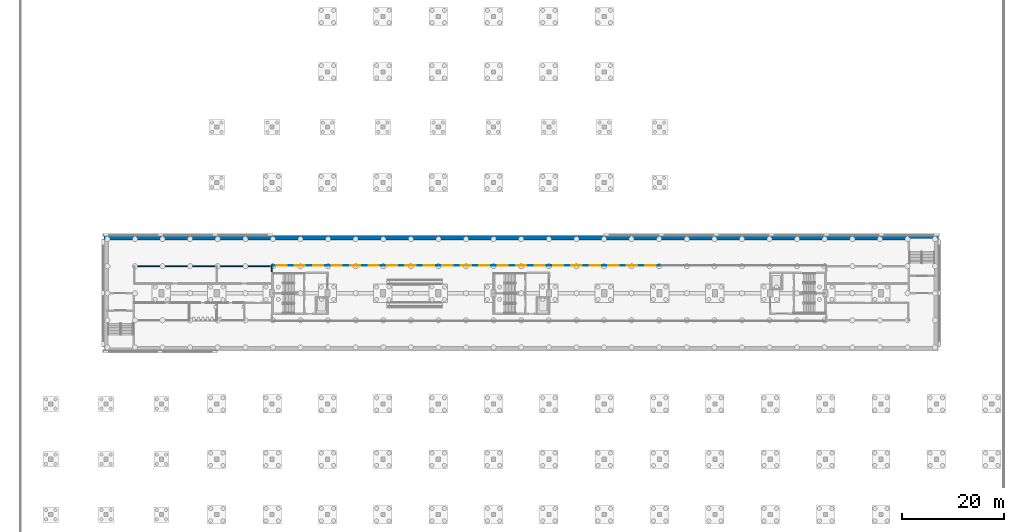
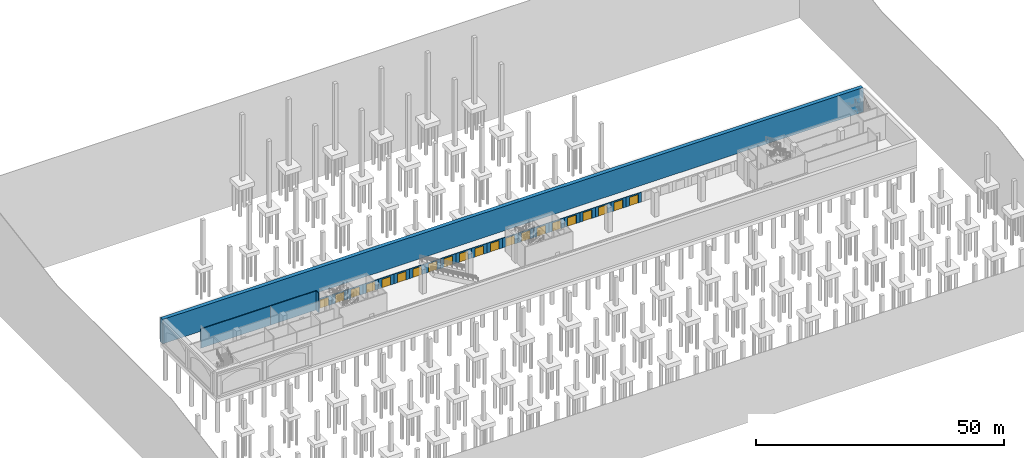
# One storey, part 10 of 39: 25 walls, 21 doors, 21 openings.
"""IFC4 building model written with IfcOpenShell, lengths in metres."""

from ifc_helpers import new_model, si_unit, direction, frame, frame_2d, origin, place, context, subcontext, project, spatial, rectangle, extrude, material, layer, layer_set, type_object, element, fill, save


model = new_model("IFC4")

# Units and contexts
model_context = context("Model", 3, precision=1e-05, world=origin(), true_north=direction((0.0, 1.0)))
body_context = subcontext(model_context, "Body", "Model", "MODEL_VIEW")
ifc_project = project(units=[si_unit("LENGTHUNIT", "METRE"), si_unit("AREAUNIT", "SQUARE_METRE"), si_unit("VOLUMEUNIT", "CUBIC_METRE"), si_unit("PLANEANGLEUNIT", "RADIAN"), si_unit("MASSUNIT", "GRAM", prefix="KILO")], contexts=[model_context])

# Site, building, storey
site_placement = place(None, origin())
site = spatial("IfcSite", under=ifc_project, at=site_placement, CompositionType="ELEMENT")
building_placement = place(site_placement, origin())
building = spatial("IfcBuilding", under=site, at=building_placement, Name="Magnolia Steps Interchange", CompositionType="ELEMENT")
storey_placement = place(building_placement, frame((0.0, 0.0, -11.39990234375)))
storey = spatial("IfcBuildingStorey", under=building, at=storey_placement, Name="B2", CompositionType="ELEMENT", Elevation=-11.39990234375)

# Walls
ifc_material_1 = material(Name="Concrete C40", Category="concrete")
ifc_layer_1 = layer(ifc_material_1, 0.89990234375)
ifc_layer_set_1 = layer_set([ifc_layer_1], Name="Diaphragm wall 900")
wall_type_1 = type_object("IfcWallType", Name="Diaphragm wall 900", PredefinedType="SOLIDWALL", material=ifc_layer_set_1)
wall_1_placement = place(storey_placement, frame((183.25, 74.800048828125, 0.0), z_axis=(0.0, 0.0, 1.0), x_axis=(-1.0, 0.0, 0.0)))
element("IfcWall", 1, at=wall_1_placement, inside=storey, type_object=wall_type_1, Name="Metro box wall N", PredefinedType="SOLIDWALL", context=body_context, shape_type="SweptSolid", body=[
    extrude(rectangle(XDim=162.89990234375, YDim=0.89990234375, at=frame_2d((81.449951171875, 0.0))), origin(), (0.0, 0.0, 1.0), 6.0),
])
ifc_material_2 = material(Name="Fair-faced blockwork", Category="masonry")
ifc_layer_2 = layer(ifc_material_2, 0.199951171875)
ifc_layer_set_2 = layer_set([ifc_layer_2], Name="Fire partition wall 200")
wall_type_2 = type_object("IfcWallType", Name="Fire partition wall 200", PredefinedType="PARTITIONING", material=ifc_layer_set_2)
wall_2_placement = place(storey_placement, frame((26.199951171875, 69.300048828125, 0.0), z_axis=(0.0, 0.0, 1.0), x_axis=(1.0, 0.0, 0.0)))
element("IfcWall", 2, at=wall_2_placement, inside=storey, type_object=wall_type_2, Name="B2 partition 17", PredefinedType="PARTITIONING", context=body_context, shape_type="SweptSolid", body=[
    extrude(rectangle(XDim=16.199951171875, YDim=0.199951171875, at=frame_2d((8.10009765625, 0.0))), origin(), (0.0, 0.0, 1.0), 4.699951171875),
])
wall_3_placement = place(storey_placement, frame((53.10009765625, 68.155029296875, 0.0), z_axis=(0.0, 0.0, 1.0), x_axis=(0.0, 1.0, 0.0)))
element("IfcWall", 3, at=wall_3_placement, inside=storey, type_object=wall_type_2, Name="B2 partition 18", PredefinedType="PARTITIONING", context=body_context, shape_type="SweptSolid", body=[
    extrude(rectangle(XDim=1.244873046875, YDim=0.199951171875, at=frame_2d((0.62255859375, 0.0))), origin(), (0.0, 0.0, 1.0), 4.699951171875),
])
wall_4_placement = place(storey_placement, frame((42.39990234375, 69.300048828125, 0.0), z_axis=(0.0, 0.0, 1.0), x_axis=(1.0, 0.0, 0.0)))
element("IfcWall", 4, at=wall_4_placement, inside=storey, type_object=wall_type_2, Name="B2 partition 19", PredefinedType="PARTITIONING", context=body_context, shape_type="SweptSolid", body=[
    extrude(rectangle(XDim=10.800048828125, YDim=0.199951171875, at=frame_2d((5.39990234375, 0.0))), origin(), (0.0, 0.0, 1.0), 4.699951171875),
])

# Wall, opening, door
ifc_material_3 = material(Name="Toughened glass", Category="glass")
ifc_layer_3 = layer(ifc_material_3, 0.14990234375)
ifc_layer_set_3 = layer_set([ifc_layer_3], Name="Platform screen panel 150")
wall_type_3 = type_object("IfcWallType", Name="Platform screen panel 150", PredefinedType="PARTITIONING", material=ifc_layer_set_3)
wall_5_placement = place(storey_placement, frame((53.199951171875, 69.39990234375, 0.0), z_axis=(0.0, 0.0, 1.0), x_axis=(1.0, 0.0, 0.0)))
wall_5 = element("IfcWall", 5, at=wall_5_placement, inside=storey, type_object=wall_type_3, Name="Platform screen 31", PredefinedType="PARTITIONING", context=body_context, shape_type="SweptSolid", body=[
    extrude(rectangle(XDim=3.60009765625, YDim=0.14990234375, at=frame_2d((1.800048828125, 0.0))), origin(), (0.0, 0.0, 1.0), 2.39990234375),
])
opening_1_placement = place(wall_5_placement, frame((0.800048828125, 0.0, 0.0)))
opening_1 = element("IfcOpeningElement", 6, at=opening_1_placement, cuts=wall_5, Name="Opening PSD", PredefinedType="OPENING", context=body_context, shape_type="SweptSolid", body=[
    extrude(rectangle(XDim=2.0, YDim=2.10009765625, at=frame_2d((1.0, 1.050048828125))), frame((0.0, 0.0849609375, 0.0), z_axis=(0.0, -1.0, 0.0), x_axis=(1.0, 0.0, 0.0)), (0.0, 0.0, 1.0), 0.169921875),
])
ifc_material_4 = material(Name="Toughened glass", Category="glass")
door_type = type_object("IfcDoorType", Name="Platform screen door 2000x2100", OperationType="DOUBLE_DOOR_SLIDING", PredefinedType="DOOR", material=ifc_material_4)
door_1_placement = place(opening_1_placement, origin())
door_1 = element("IfcDoor", 7, at=door_1_placement, inside=storey, type_object=door_type, Name="Platform screen door 31", OperationType="DOUBLE_DOOR_SLIDING", OverallHeight=2.10009765625, OverallWidth=2.0, PredefinedType="DOOR", context=body_context, shape_type="SweptSolid", body=[
    extrude(rectangle(XDim=2.0, YDim=2.10009765625, at=frame_2d((1.0, 1.050048828125))), frame((0.0, 0.02490234375, 0.0), z_axis=(0.0, -1.0, 0.0), x_axis=(1.0, 0.0, 0.0)), (0.0, 0.0, 1.0), 0.050048828125),
])
fill(opening_1, door_1)

wall_6_placement = place(storey_placement, frame((56.800048828125, 69.39990234375, 0.0), z_axis=(0.0, 0.0, 1.0), x_axis=(1.0, 0.0, 0.0)))
wall_6 = element("IfcWall", 8, at=wall_6_placement, inside=storey, type_object=wall_type_3, Name="Platform screen 32", PredefinedType="PARTITIONING", context=body_context, shape_type="SweptSolid", body=[
    extrude(rectangle(XDim=3.599853515625, YDim=0.14990234375, at=frame_2d((1.7998046875, 0.0))), origin(), (0.0, 0.0, 1.0), 2.39990234375),
])
opening_2_placement = place(wall_6_placement, frame((0.800048828125, 0.0, 0.0)))
opening_2 = element("IfcOpeningElement", 9, at=opening_2_placement, cuts=wall_6, Name="Opening PSD", PredefinedType="OPENING", context=body_context, shape_type="SweptSolid", body=[
    extrude(rectangle(XDim=2.0, YDim=2.10009765625, at=frame_2d((1.0, 1.050048828125))), frame((0.0, 0.0849609375, 0.0), z_axis=(0.0, -1.0, 0.0), x_axis=(1.0, 0.0, 0.0)), (0.0, 0.0, 1.0), 0.169921875),
])
door_2_placement = place(opening_2_placement, origin())
door_2 = element("IfcDoor", 10, at=door_2_placement, inside=storey, type_object=door_type, Name="Platform screen door 32", OperationType="DOUBLE_DOOR_SLIDING", OverallHeight=2.10009765625, OverallWidth=2.0, PredefinedType="DOOR", context=body_context, shape_type="SweptSolid", body=[
    extrude(rectangle(XDim=2.0, YDim=2.10009765625, at=frame_2d((1.0, 1.050048828125))), frame((0.0, 0.02490234375, 0.0), z_axis=(0.0, -1.0, 0.0), x_axis=(1.0, 0.0, 0.0)), (0.0, 0.0, 1.0), 0.050048828125),
])
fill(opening_2, door_2)

wall_7_placement = place(storey_placement, frame((60.39990234375, 69.39990234375, 0.0), z_axis=(0.0, 0.0, 1.0), x_axis=(1.0, 0.0, 0.0)))
wall_7 = element("IfcWall", 11, at=wall_7_placement, inside=storey, type_object=wall_type_3, Name="Platform screen 33", PredefinedType="PARTITIONING", context=body_context, shape_type="SweptSolid", body=[
    extrude(rectangle(XDim=3.60009765625, YDim=0.14990234375, at=frame_2d((1.800048828125, 0.0))), origin(), (0.0, 0.0, 1.0), 2.39990234375),
])
opening_3_placement = place(wall_7_placement, frame((0.800048828125, 0.0, 0.0)))
opening_3 = element("IfcOpeningElement", 12, at=opening_3_placement, cuts=wall_7, Name="Opening PSD", PredefinedType="OPENING", context=body_context, shape_type="SweptSolid", body=[
    extrude(rectangle(XDim=2.0, YDim=2.10009765625, at=frame_2d((1.0, 1.050048828125))), frame((0.0, 0.0849609375, 0.0), z_axis=(0.0, -1.0, 0.0), x_axis=(1.0, 0.0, 0.0)), (0.0, 0.0, 1.0), 0.169921875),
])
door_3_placement = place(opening_3_placement, origin())
door_3 = element("IfcDoor", 13, at=door_3_placement, inside=storey, type_object=door_type, Name="Platform screen door 33", OperationType="DOUBLE_DOOR_SLIDING", OverallHeight=2.10009765625, OverallWidth=2.0, PredefinedType="DOOR", context=body_context, shape_type="SweptSolid", body=[
    extrude(rectangle(XDim=2.0, YDim=2.10009765625, at=frame_2d((1.0, 1.050048828125))), frame((0.0, 0.02490234375, 0.0), z_axis=(0.0, -1.0, 0.0), x_axis=(1.0, 0.0, 0.0)), (0.0, 0.0, 1.0), 0.050048828125),
])
fill(opening_3, door_3)

wall_8_placement = place(storey_placement, frame((64.0, 69.39990234375, 0.0), z_axis=(0.0, 0.0, 1.0), x_axis=(1.0, 0.0, 0.0)))
wall_8 = element("IfcWall", 14, at=wall_8_placement, inside=storey, type_object=wall_type_3, Name="Platform screen 34", PredefinedType="PARTITIONING", context=body_context, shape_type="SweptSolid", body=[
    extrude(rectangle(XDim=3.60009765625, YDim=0.14990234375, at=frame_2d((1.800048828125, 0.0))), origin(), (0.0, 0.0, 1.0), 2.39990234375),
])
opening_4_placement = place(wall_8_placement, frame((0.800048828125, 0.0, 0.0)))
opening_4 = element("IfcOpeningElement", 15, at=opening_4_placement, cuts=wall_8, Name="Opening PSD", PredefinedType="OPENING", context=body_context, shape_type="SweptSolid", body=[
    extrude(rectangle(XDim=2.0, YDim=2.10009765625, at=frame_2d((1.0, 1.050048828125))), frame((0.0, 0.0849609375, 0.0), z_axis=(0.0, -1.0, 0.0), x_axis=(1.0, 0.0, 0.0)), (0.0, 0.0, 1.0), 0.169921875),
])
door_4_placement = place(opening_4_placement, origin())
door_4 = element("IfcDoor", 16, at=door_4_placement, inside=storey, type_object=door_type, Name="Platform screen door 34", OperationType="DOUBLE_DOOR_SLIDING", OverallHeight=2.10009765625, OverallWidth=2.0, PredefinedType="DOOR", context=body_context, shape_type="SweptSolid", body=[
    extrude(rectangle(XDim=2.0, YDim=2.10009765625, at=frame_2d((1.0, 1.050048828125))), frame((0.0, 0.02490234375, 0.0), z_axis=(0.0, -1.0, 0.0), x_axis=(1.0, 0.0, 0.0)), (0.0, 0.0, 1.0), 0.050048828125),
])
fill(opening_4, door_4)

wall_9_placement = place(storey_placement, frame((67.60009765625, 69.39990234375, 0.0), z_axis=(0.0, 0.0, 1.0), x_axis=(1.0, 0.0, 0.0)))
wall_9 = element("IfcWall", 17, at=wall_9_placement, inside=storey, type_object=wall_type_3, Name="Platform screen 35", PredefinedType="PARTITIONING", context=body_context, shape_type="SweptSolid", body=[
    extrude(rectangle(XDim=3.599853515625, YDim=0.14990234375, at=frame_2d((1.7998046875, 0.0))), origin(), (0.0, 0.0, 1.0), 2.39990234375),
])
opening_5_placement = place(wall_9_placement, frame((0.800048828125, 0.0, 0.0)))
opening_5 = element("IfcOpeningElement", 18, at=opening_5_placement, cuts=wall_9, Name="Opening PSD", PredefinedType="OPENING", context=body_context, shape_type="SweptSolid", body=[
    extrude(rectangle(XDim=2.0, YDim=2.10009765625, at=frame_2d((1.0, 1.050048828125))), frame((0.0, 0.0849609375, 0.0), z_axis=(0.0, -1.0, 0.0), x_axis=(1.0, 0.0, 0.0)), (0.0, 0.0, 1.0), 0.169921875),
])
door_5_placement = place(opening_5_placement, origin())
door_5 = element("IfcDoor", 19, at=door_5_placement, inside=storey, type_object=door_type, Name="Platform screen door 35", OperationType="DOUBLE_DOOR_SLIDING", OverallHeight=2.10009765625, OverallWidth=2.0, PredefinedType="DOOR", context=body_context, shape_type="SweptSolid", body=[
    extrude(rectangle(XDim=2.0, YDim=2.10009765625, at=frame_2d((1.0, 1.050048828125))), frame((0.0, 0.02490234375, 0.0), z_axis=(0.0, -1.0, 0.0), x_axis=(1.0, 0.0, 0.0)), (0.0, 0.0, 1.0), 0.050048828125),
])
fill(opening_5, door_5)

wall_10_placement = place(storey_placement, frame((71.199951171875, 69.39990234375, 0.0), z_axis=(0.0, 0.0, 1.0), x_axis=(1.0, 0.0, 0.0)))
wall_10 = element("IfcWall", 20, at=wall_10_placement, inside=storey, type_object=wall_type_3, Name="Platform screen 36", PredefinedType="PARTITIONING", context=body_context, shape_type="SweptSolid", body=[
    extrude(rectangle(XDim=3.60009765625, YDim=0.14990234375, at=frame_2d((1.800048828125, 0.0))), origin(), (0.0, 0.0, 1.0), 2.39990234375),
])
opening_6_placement = place(wall_10_placement, frame((0.800048828125, 0.0, 0.0)))
opening_6 = element("IfcOpeningElement", 21, at=opening_6_placement, cuts=wall_10, Name="Opening PSD", PredefinedType="OPENING", context=body_context, shape_type="SweptSolid", body=[
    extrude(rectangle(XDim=2.0, YDim=2.10009765625, at=frame_2d((1.0, 1.050048828125))), frame((0.0, 0.0849609375, 0.0), z_axis=(0.0, -1.0, 0.0), x_axis=(1.0, 0.0, 0.0)), (0.0, 0.0, 1.0), 0.169921875),
])
door_6_placement = place(opening_6_placement, origin())
door_6 = element("IfcDoor", 22, at=door_6_placement, inside=storey, type_object=door_type, Name="Platform screen door 36", OperationType="DOUBLE_DOOR_SLIDING", OverallHeight=2.10009765625, OverallWidth=2.0, PredefinedType="DOOR", context=body_context, shape_type="SweptSolid", body=[
    extrude(rectangle(XDim=2.0, YDim=2.10009765625, at=frame_2d((1.0, 1.050048828125))), frame((0.0, 0.02490234375, 0.0), z_axis=(0.0, -1.0, 0.0), x_axis=(1.0, 0.0, 0.0)), (0.0, 0.0, 1.0), 0.050048828125),
])
fill(opening_6, door_6)

wall_11_placement = place(storey_placement, frame((74.800048828125, 69.39990234375, 0.0), z_axis=(0.0, 0.0, 1.0), x_axis=(1.0, 0.0, 0.0)))
wall_11 = element("IfcWall", 23, at=wall_11_placement, inside=storey, type_object=wall_type_3, Name="Platform screen 37", PredefinedType="PARTITIONING", context=body_context, shape_type="SweptSolid", body=[
    extrude(rectangle(XDim=3.599853515625, YDim=0.14990234375, at=frame_2d((1.7998046875, 0.0))), origin(), (0.0, 0.0, 1.0), 2.39990234375),
])
opening_7_placement = place(wall_11_placement, frame((0.800048828125, 0.0, 0.0)))
opening_7 = element("IfcOpeningElement", 24, at=opening_7_placement, cuts=wall_11, Name="Opening PSD", PredefinedType="OPENING", context=body_context, shape_type="SweptSolid", body=[
    extrude(rectangle(XDim=2.0, YDim=2.10009765625, at=frame_2d((1.0, 1.050048828125))), frame((0.0, 0.0849609375, 0.0), z_axis=(0.0, -1.0, 0.0), x_axis=(1.0, 0.0, 0.0)), (0.0, 0.0, 1.0), 0.169921875),
])
door_7_placement = place(opening_7_placement, origin())
door_7 = element("IfcDoor", 25, at=door_7_placement, inside=storey, type_object=door_type, Name="Platform screen door 37", OperationType="DOUBLE_DOOR_SLIDING", OverallHeight=2.10009765625, OverallWidth=2.0, PredefinedType="DOOR", context=body_context, shape_type="SweptSolid", body=[
    extrude(rectangle(XDim=2.0, YDim=2.10009765625, at=frame_2d((1.0, 1.050048828125))), frame((0.0, 0.02490234375, 0.0), z_axis=(0.0, -1.0, 0.0), x_axis=(1.0, 0.0, 0.0)), (0.0, 0.0, 1.0), 0.050048828125),
])
fill(opening_7, door_7)

wall_12_placement = place(storey_placement, frame((78.39990234375, 69.39990234375, 0.0), z_axis=(0.0, 0.0, 1.0), x_axis=(1.0, 0.0, 0.0)))
wall_12 = element("IfcWall", 26, at=wall_12_placement, inside=storey, type_object=wall_type_3, Name="Platform screen 38", PredefinedType="PARTITIONING", context=body_context, shape_type="SweptSolid", body=[
    extrude(rectangle(XDim=3.60009765625, YDim=0.14990234375, at=frame_2d((1.800048828125, 0.0))), origin(), (0.0, 0.0, 1.0), 2.39990234375),
])
opening_8_placement = place(wall_12_placement, frame((0.800048828125, 0.0, 0.0)))
opening_8 = element("IfcOpeningElement", 27, at=opening_8_placement, cuts=wall_12, Name="Opening PSD", PredefinedType="OPENING", context=body_context, shape_type="SweptSolid", body=[
    extrude(rectangle(XDim=2.0, YDim=2.10009765625, at=frame_2d((1.0, 1.050048828125))), frame((0.0, 0.0849609375, 0.0), z_axis=(0.0, -1.0, 0.0), x_axis=(1.0, 0.0, 0.0)), (0.0, 0.0, 1.0), 0.169921875),
])
door_8_placement = place(opening_8_placement, origin())
door_8 = element("IfcDoor", 28, at=door_8_placement, inside=storey, type_object=door_type, Name="Platform screen door 38", OperationType="DOUBLE_DOOR_SLIDING", OverallHeight=2.10009765625, OverallWidth=2.0, PredefinedType="DOOR", context=body_context, shape_type="SweptSolid", body=[
    extrude(rectangle(XDim=2.0, YDim=2.10009765625, at=frame_2d((1.0, 1.050048828125))), frame((0.0, 0.02490234375, 0.0), z_axis=(0.0, -1.0, 0.0), x_axis=(1.0, 0.0, 0.0)), (0.0, 0.0, 1.0), 0.050048828125),
])
fill(opening_8, door_8)

wall_13_placement = place(storey_placement, frame((82.0, 69.39990234375, 0.0), z_axis=(0.0, 0.0, 1.0), x_axis=(1.0, 0.0, 0.0)))
wall_13 = element("IfcWall", 29, at=wall_13_placement, inside=storey, type_object=wall_type_3, Name="Platform screen 39", PredefinedType="PARTITIONING", context=body_context, shape_type="SweptSolid", body=[
    extrude(rectangle(XDim=3.60009765625, YDim=0.14990234375, at=frame_2d((1.800048828125, 0.0))), origin(), (0.0, 0.0, 1.0), 2.39990234375),
])
opening_9_placement = place(wall_13_placement, frame((0.800048828125, 0.0, 0.0)))
opening_9 = element("IfcOpeningElement", 30, at=opening_9_placement, cuts=wall_13, Name="Opening PSD", PredefinedType="OPENING", context=body_context, shape_type="SweptSolid", body=[
    extrude(rectangle(XDim=2.0, YDim=2.10009765625, at=frame_2d((1.0, 1.050048828125))), frame((0.0, 0.0849609375, 0.0), z_axis=(0.0, -1.0, 0.0), x_axis=(1.0, 0.0, 0.0)), (0.0, 0.0, 1.0), 0.169921875),
])
door_9_placement = place(opening_9_placement, origin())
door_9 = element("IfcDoor", 31, at=door_9_placement, inside=storey, type_object=door_type, Name="Platform screen door 39", OperationType="DOUBLE_DOOR_SLIDING", OverallHeight=2.10009765625, OverallWidth=2.0, PredefinedType="DOOR", context=body_context, shape_type="SweptSolid", body=[
    extrude(rectangle(XDim=2.0, YDim=2.10009765625, at=frame_2d((1.0, 1.050048828125))), frame((0.0, 0.02490234375, 0.0), z_axis=(0.0, -1.0, 0.0), x_axis=(1.0, 0.0, 0.0)), (0.0, 0.0, 1.0), 0.050048828125),
])
fill(opening_9, door_9)

wall_14_placement = place(storey_placement, frame((85.60009765625, 69.39990234375, 0.0), z_axis=(0.0, 0.0, 1.0), x_axis=(1.0, 0.0, 0.0)))
wall_14 = element("IfcWall", 32, at=wall_14_placement, inside=storey, type_object=wall_type_3, Name="Platform screen 40", PredefinedType="PARTITIONING", context=body_context, shape_type="SweptSolid", body=[
    extrude(rectangle(XDim=3.599853515625, YDim=0.14990234375, at=frame_2d((1.7998046875, 0.0))), origin(), (0.0, 0.0, 1.0), 2.39990234375),
])
opening_10_placement = place(wall_14_placement, frame((0.800048828125, 0.0, 0.0)))
opening_10 = element("IfcOpeningElement", 33, at=opening_10_placement, cuts=wall_14, Name="Opening PSD", PredefinedType="OPENING", context=body_context, shape_type="SweptSolid", body=[
    extrude(rectangle(XDim=2.0, YDim=2.10009765625, at=frame_2d((1.0, 1.050048828125))), frame((0.0, 0.0849609375, 0.0), z_axis=(0.0, -1.0, 0.0), x_axis=(1.0, 0.0, 0.0)), (0.0, 0.0, 1.0), 0.169921875),
])
door_10_placement = place(opening_10_placement, origin())
door_10 = element("IfcDoor", 34, at=door_10_placement, inside=storey, type_object=door_type, Name="Platform screen door 40", OperationType="DOUBLE_DOOR_SLIDING", OverallHeight=2.10009765625, OverallWidth=2.0, PredefinedType="DOOR", context=body_context, shape_type="SweptSolid", body=[
    extrude(rectangle(XDim=2.0, YDim=2.10009765625, at=frame_2d((1.0, 1.050048828125))), frame((0.0, 0.02490234375, 0.0), z_axis=(0.0, -1.0, 0.0), x_axis=(1.0, 0.0, 0.0)), (0.0, 0.0, 1.0), 0.050048828125),
])
fill(opening_10, door_10)

wall_15_placement = place(storey_placement, frame((89.199951171875, 69.39990234375, 0.0), z_axis=(0.0, 0.0, 1.0), x_axis=(1.0, 0.0, 0.0)))
wall_15 = element("IfcWall", 35, at=wall_15_placement, inside=storey, type_object=wall_type_3, Name="Platform screen 41", PredefinedType="PARTITIONING", context=body_context, shape_type="SweptSolid", body=[
    extrude(rectangle(XDim=3.60009765625, YDim=0.14990234375, at=frame_2d((1.800048828125, 0.0))), origin(), (0.0, 0.0, 1.0), 2.39990234375),
])
opening_11_placement = place(wall_15_placement, frame((0.800048828125, 0.0, 0.0)))
opening_11 = element("IfcOpeningElement", 36, at=opening_11_placement, cuts=wall_15, Name="Opening PSD", PredefinedType="OPENING", context=body_context, shape_type="SweptSolid", body=[
    extrude(rectangle(XDim=2.0, YDim=2.10009765625, at=frame_2d((1.0, 1.050048828125))), frame((0.0, 0.0849609375, 0.0), z_axis=(0.0, -1.0, 0.0), x_axis=(1.0, 0.0, 0.0)), (0.0, 0.0, 1.0), 0.169921875),
])
door_11_placement = place(opening_11_placement, origin())
door_11 = element("IfcDoor", 37, at=door_11_placement, inside=storey, type_object=door_type, Name="Platform screen door 41", OperationType="DOUBLE_DOOR_SLIDING", OverallHeight=2.10009765625, OverallWidth=2.0, PredefinedType="DOOR", context=body_context, shape_type="SweptSolid", body=[
    extrude(rectangle(XDim=2.0, YDim=2.10009765625, at=frame_2d((1.0, 1.050048828125))), frame((0.0, 0.02490234375, 0.0), z_axis=(0.0, -1.0, 0.0), x_axis=(1.0, 0.0, 0.0)), (0.0, 0.0, 1.0), 0.050048828125),
])
fill(opening_11, door_11)

wall_16_placement = place(storey_placement, frame((92.800048828125, 69.39990234375, 0.0), z_axis=(0.0, 0.0, 1.0), x_axis=(1.0, 0.0, 0.0)))
wall_16 = element("IfcWall", 38, at=wall_16_placement, inside=storey, type_object=wall_type_3, Name="Platform screen 42", PredefinedType="PARTITIONING", context=body_context, shape_type="SweptSolid", body=[
    extrude(rectangle(XDim=3.599853515625, YDim=0.14990234375, at=frame_2d((1.7998046875, 0.0))), origin(), (0.0, 0.0, 1.0), 2.39990234375),
])
opening_12_placement = place(wall_16_placement, frame((0.800048828125, 0.0, 0.0)))
opening_12 = element("IfcOpeningElement", 39, at=opening_12_placement, cuts=wall_16, Name="Opening PSD", PredefinedType="OPENING", context=body_context, shape_type="SweptSolid", body=[
    extrude(rectangle(XDim=2.0, YDim=2.10009765625, at=frame_2d((1.0, 1.050048828125))), frame((0.0, 0.0849609375, 0.0), z_axis=(0.0, -1.0, 0.0), x_axis=(1.0, 0.0, 0.0)), (0.0, 0.0, 1.0), 0.169921875),
])
door_12_placement = place(opening_12_placement, origin())
door_12 = element("IfcDoor", 40, at=door_12_placement, inside=storey, type_object=door_type, Name="Platform screen door 42", OperationType="DOUBLE_DOOR_SLIDING", OverallHeight=2.10009765625, OverallWidth=2.0, PredefinedType="DOOR", context=body_context, shape_type="SweptSolid", body=[
    extrude(rectangle(XDim=2.0, YDim=2.10009765625, at=frame_2d((1.0, 1.050048828125))), frame((0.0, 0.02490234375, 0.0), z_axis=(0.0, -1.0, 0.0), x_axis=(1.0, 0.0, 0.0)), (0.0, 0.0, 1.0), 0.050048828125),
])
fill(opening_12, door_12)

wall_17_placement = place(storey_placement, frame((96.39990234375, 69.39990234375, 0.0), z_axis=(0.0, 0.0, 1.0), x_axis=(1.0, 0.0, 0.0)))
wall_17 = element("IfcWall", 41, at=wall_17_placement, inside=storey, type_object=wall_type_3, Name="Platform screen 43", PredefinedType="PARTITIONING", context=body_context, shape_type="SweptSolid", body=[
    extrude(rectangle(XDim=3.60009765625, YDim=0.14990234375, at=frame_2d((1.800048828125, 0.0))), origin(), (0.0, 0.0, 1.0), 2.39990234375),
])
opening_13_placement = place(wall_17_placement, frame((0.800048828125, 0.0, 0.0)))
opening_13 = element("IfcOpeningElement", 42, at=opening_13_placement, cuts=wall_17, Name="Opening PSD", PredefinedType="OPENING", context=body_context, shape_type="SweptSolid", body=[
    extrude(rectangle(XDim=2.0, YDim=2.10009765625, at=frame_2d((1.0, 1.050048828125))), frame((0.0, 0.0849609375, 0.0), z_axis=(0.0, -1.0, 0.0), x_axis=(1.0, 0.0, 0.0)), (0.0, 0.0, 1.0), 0.169921875),
])
door_13_placement = place(opening_13_placement, origin())
door_13 = element("IfcDoor", 43, at=door_13_placement, inside=storey, type_object=door_type, Name="Platform screen door 43", OperationType="DOUBLE_DOOR_SLIDING", OverallHeight=2.10009765625, OverallWidth=2.0, PredefinedType="DOOR", context=body_context, shape_type="SweptSolid", body=[
    extrude(rectangle(XDim=2.0, YDim=2.10009765625, at=frame_2d((1.0, 1.050048828125))), frame((0.0, 0.02490234375, 0.0), z_axis=(0.0, -1.0, 0.0), x_axis=(1.0, 0.0, 0.0)), (0.0, 0.0, 1.0), 0.050048828125),
])
fill(opening_13, door_13)

wall_18_placement = place(storey_placement, frame((100.0, 69.39990234375, 0.0), z_axis=(0.0, 0.0, 1.0), x_axis=(1.0, 0.0, 0.0)))
wall_18 = element("IfcWall", 44, at=wall_18_placement, inside=storey, type_object=wall_type_3, Name="Platform screen 44", PredefinedType="PARTITIONING", context=body_context, shape_type="SweptSolid", body=[
    extrude(rectangle(XDim=3.60009765625, YDim=0.14990234375, at=frame_2d((1.800048828125, 0.0))), origin(), (0.0, 0.0, 1.0), 2.39990234375),
])
opening_14_placement = place(wall_18_placement, frame((0.800048828125, 0.0, 0.0)))
opening_14 = element("IfcOpeningElement", 45, at=opening_14_placement, cuts=wall_18, Name="Opening PSD", PredefinedType="OPENING", context=body_context, shape_type="SweptSolid", body=[
    extrude(rectangle(XDim=2.0, YDim=2.10009765625, at=frame_2d((1.0, 1.050048828125))), frame((0.0, 0.0849609375, 0.0), z_axis=(0.0, -1.0, 0.0), x_axis=(1.0, 0.0, 0.0)), (0.0, 0.0, 1.0), 0.169921875),
])
door_14_placement = place(opening_14_placement, origin())
door_14 = element("IfcDoor", 46, at=door_14_placement, inside=storey, type_object=door_type, Name="Platform screen door 44", OperationType="DOUBLE_DOOR_SLIDING", OverallHeight=2.10009765625, OverallWidth=2.0, PredefinedType="DOOR", context=body_context, shape_type="SweptSolid", body=[
    extrude(rectangle(XDim=2.0, YDim=2.10009765625, at=frame_2d((1.0, 1.050048828125))), frame((0.0, 0.02490234375, 0.0), z_axis=(0.0, -1.0, 0.0), x_axis=(1.0, 0.0, 0.0)), (0.0, 0.0, 1.0), 0.050048828125),
])
fill(opening_14, door_14)

wall_19_placement = place(storey_placement, frame((103.60009765625, 69.39990234375, 0.0), z_axis=(0.0, 0.0, 1.0), x_axis=(1.0, 0.0, 0.0)))
wall_19 = element("IfcWall", 47, at=wall_19_placement, inside=storey, type_object=wall_type_3, Name="Platform screen 45", PredefinedType="PARTITIONING", context=body_context, shape_type="SweptSolid", body=[
    extrude(rectangle(XDim=3.599853515625, YDim=0.14990234375, at=frame_2d((1.7998046875, 0.0))), origin(), (0.0, 0.0, 1.0), 2.39990234375),
])
opening_15_placement = place(wall_19_placement, frame((0.800048828125, 0.0, 0.0)))
opening_15 = element("IfcOpeningElement", 48, at=opening_15_placement, cuts=wall_19, Name="Opening PSD", PredefinedType="OPENING", context=body_context, shape_type="SweptSolid", body=[
    extrude(rectangle(XDim=2.0, YDim=2.10009765625, at=frame_2d((1.0, 1.050048828125))), frame((0.0, 0.0849609375, 0.0), z_axis=(0.0, -1.0, 0.0), x_axis=(1.0, 0.0, 0.0)), (0.0, 0.0, 1.0), 0.169921875),
])
door_15_placement = place(opening_15_placement, origin())
door_15 = element("IfcDoor", 49, at=door_15_placement, inside=storey, type_object=door_type, Name="Platform screen door 45", OperationType="DOUBLE_DOOR_SLIDING", OverallHeight=2.10009765625, OverallWidth=2.0, PredefinedType="DOOR", context=body_context, shape_type="SweptSolid", body=[
    extrude(rectangle(XDim=2.0, YDim=2.10009765625, at=frame_2d((1.0, 1.050048828125))), frame((0.0, 0.02490234375, 0.0), z_axis=(0.0, -1.0, 0.0), x_axis=(1.0, 0.0, 0.0)), (0.0, 0.0, 1.0), 0.050048828125),
])
fill(opening_15, door_15)

wall_20_placement = place(storey_placement, frame((107.199951171875, 69.39990234375, 0.0), z_axis=(0.0, 0.0, 1.0), x_axis=(1.0, 0.0, 0.0)))
wall_20 = element("IfcWall", 50, at=wall_20_placement, inside=storey, type_object=wall_type_3, Name="Platform screen 46", PredefinedType="PARTITIONING", context=body_context, shape_type="SweptSolid", body=[
    extrude(rectangle(XDim=3.60009765625, YDim=0.14990234375, at=frame_2d((1.800048828125, 0.0))), origin(), (0.0, 0.0, 1.0), 2.39990234375),
])
opening_16_placement = place(wall_20_placement, frame((0.800048828125, 0.0, 0.0)))
opening_16 = element("IfcOpeningElement", 51, at=opening_16_placement, cuts=wall_20, Name="Opening PSD", PredefinedType="OPENING", context=body_context, shape_type="SweptSolid", body=[
    extrude(rectangle(XDim=2.0, YDim=2.10009765625, at=frame_2d((1.0, 1.050048828125))), frame((0.0, 0.0849609375, 0.0), z_axis=(0.0, -1.0, 0.0), x_axis=(1.0, 0.0, 0.0)), (0.0, 0.0, 1.0), 0.169921875),
])
door_16_placement = place(opening_16_placement, origin())
door_16 = element("IfcDoor", 52, at=door_16_placement, inside=storey, type_object=door_type, Name="Platform screen door 46", OperationType="DOUBLE_DOOR_SLIDING", OverallHeight=2.10009765625, OverallWidth=2.0, PredefinedType="DOOR", context=body_context, shape_type="SweptSolid", body=[
    extrude(rectangle(XDim=2.0, YDim=2.10009765625, at=frame_2d((1.0, 1.050048828125))), frame((0.0, 0.02490234375, 0.0), z_axis=(0.0, -1.0, 0.0), x_axis=(1.0, 0.0, 0.0)), (0.0, 0.0, 1.0), 0.050048828125),
])
fill(opening_16, door_16)

wall_21_placement = place(storey_placement, frame((110.800048828125, 69.39990234375, 0.0), z_axis=(0.0, 0.0, 1.0), x_axis=(1.0, 0.0, 0.0)))
wall_21 = element("IfcWall", 53, at=wall_21_placement, inside=storey, type_object=wall_type_3, Name="Platform screen 47", PredefinedType="PARTITIONING", context=body_context, shape_type="SweptSolid", body=[
    extrude(rectangle(XDim=3.599853515625, YDim=0.14990234375, at=frame_2d((1.7998046875, 0.0))), origin(), (0.0, 0.0, 1.0), 2.39990234375),
])
opening_17_placement = place(wall_21_placement, frame((0.800048828125, 0.0, 0.0)))
opening_17 = element("IfcOpeningElement", 54, at=opening_17_placement, cuts=wall_21, Name="Opening PSD", PredefinedType="OPENING", context=body_context, shape_type="SweptSolid", body=[
    extrude(rectangle(XDim=2.0, YDim=2.10009765625, at=frame_2d((1.0, 1.050048828125))), frame((0.0, 0.0849609375, 0.0), z_axis=(0.0, -1.0, 0.0), x_axis=(1.0, 0.0, 0.0)), (0.0, 0.0, 1.0), 0.169921875),
])
door_17_placement = place(opening_17_placement, origin())
door_17 = element("IfcDoor", 55, at=door_17_placement, inside=storey, type_object=door_type, Name="Platform screen door 47", OperationType="DOUBLE_DOOR_SLIDING", OverallHeight=2.10009765625, OverallWidth=2.0, PredefinedType="DOOR", context=body_context, shape_type="SweptSolid", body=[
    extrude(rectangle(XDim=2.0, YDim=2.10009765625, at=frame_2d((1.0, 1.050048828125))), frame((0.0, 0.02490234375, 0.0), z_axis=(0.0, -1.0, 0.0), x_axis=(1.0, 0.0, 0.0)), (0.0, 0.0, 1.0), 0.050048828125),
])
fill(opening_17, door_17)

wall_22_placement = place(storey_placement, frame((114.39990234375, 69.39990234375, 0.0), z_axis=(0.0, 0.0, 1.0), x_axis=(1.0, 0.0, 0.0)))
wall_22 = element("IfcWall", 56, at=wall_22_placement, inside=storey, type_object=wall_type_3, Name="Platform screen 48", PredefinedType="PARTITIONING", context=body_context, shape_type="SweptSolid", body=[
    extrude(rectangle(XDim=3.60009765625, YDim=0.14990234375, at=frame_2d((1.800048828125, 0.0))), origin(), (0.0, 0.0, 1.0), 2.39990234375),
])
opening_18_placement = place(wall_22_placement, frame((0.800048828125, 0.0, 0.0)))
opening_18 = element("IfcOpeningElement", 57, at=opening_18_placement, cuts=wall_22, Name="Opening PSD", PredefinedType="OPENING", context=body_context, shape_type="SweptSolid", body=[
    extrude(rectangle(XDim=2.0, YDim=2.10009765625, at=frame_2d((1.0, 1.050048828125))), frame((0.0, 0.0849609375, 0.0), z_axis=(0.0, -1.0, 0.0), x_axis=(1.0, 0.0, 0.0)), (0.0, 0.0, 1.0), 0.169921875),
])
door_18_placement = place(opening_18_placement, origin())
door_18 = element("IfcDoor", 58, at=door_18_placement, inside=storey, type_object=door_type, Name="Platform screen door 48", OperationType="DOUBLE_DOOR_SLIDING", OverallHeight=2.10009765625, OverallWidth=2.0, PredefinedType="DOOR", context=body_context, shape_type="SweptSolid", body=[
    extrude(rectangle(XDim=2.0, YDim=2.10009765625, at=frame_2d((1.0, 1.050048828125))), frame((0.0, 0.02490234375, 0.0), z_axis=(0.0, -1.0, 0.0), x_axis=(1.0, 0.0, 0.0)), (0.0, 0.0, 1.0), 0.050048828125),
])
fill(opening_18, door_18)

wall_23_placement = place(storey_placement, frame((118.0, 69.39990234375, 0.0), z_axis=(0.0, 0.0, 1.0), x_axis=(1.0, 0.0, 0.0)))
wall_23 = element("IfcWall", 59, at=wall_23_placement, inside=storey, type_object=wall_type_3, Name="Platform screen 49", PredefinedType="PARTITIONING", context=body_context, shape_type="SweptSolid", body=[
    extrude(rectangle(XDim=3.60009765625, YDim=0.14990234375, at=frame_2d((1.800048828125, 0.0))), origin(), (0.0, 0.0, 1.0), 2.39990234375),
])
opening_19_placement = place(wall_23_placement, frame((0.800048828125, 0.0, 0.0)))
opening_19 = element("IfcOpeningElement", 60, at=opening_19_placement, cuts=wall_23, Name="Opening PSD", PredefinedType="OPENING", context=body_context, shape_type="SweptSolid", body=[
    extrude(rectangle(XDim=2.0, YDim=2.10009765625, at=frame_2d((1.0, 1.050048828125))), frame((0.0, 0.0849609375, 0.0), z_axis=(0.0, -1.0, 0.0), x_axis=(1.0, 0.0, 0.0)), (0.0, 0.0, 1.0), 0.169921875),
])
door_19_placement = place(opening_19_placement, origin())
door_19 = element("IfcDoor", 61, at=door_19_placement, inside=storey, type_object=door_type, Name="Platform screen door 49", OperationType="DOUBLE_DOOR_SLIDING", OverallHeight=2.10009765625, OverallWidth=2.0, PredefinedType="DOOR", context=body_context, shape_type="SweptSolid", body=[
    extrude(rectangle(XDim=2.0, YDim=2.10009765625, at=frame_2d((1.0, 1.050048828125))), frame((0.0, 0.02490234375, 0.0), z_axis=(0.0, -1.0, 0.0), x_axis=(1.0, 0.0, 0.0)), (0.0, 0.0, 1.0), 0.050048828125),
])
fill(opening_19, door_19)

wall_24_placement = place(storey_placement, frame((121.60009765625, 69.39990234375, 0.0), z_axis=(0.0, 0.0, 1.0), x_axis=(1.0, 0.0, 0.0)))
wall_24 = element("IfcWall", 62, at=wall_24_placement, inside=storey, type_object=wall_type_3, Name="Platform screen 50", PredefinedType="PARTITIONING", context=body_context, shape_type="SweptSolid", body=[
    extrude(rectangle(XDim=3.599853515625, YDim=0.14990234375, at=frame_2d((1.7998046875, 0.0))), origin(), (0.0, 0.0, 1.0), 2.39990234375),
])
opening_20_placement = place(wall_24_placement, frame((0.800048828125, 0.0, 0.0)))
opening_20 = element("IfcOpeningElement", 63, at=opening_20_placement, cuts=wall_24, Name="Opening PSD", PredefinedType="OPENING", context=body_context, shape_type="SweptSolid", body=[
    extrude(rectangle(XDim=2.0, YDim=2.10009765625, at=frame_2d((1.0, 1.050048828125))), frame((0.0, 0.0849609375, 0.0), z_axis=(0.0, -1.0, 0.0), x_axis=(1.0, 0.0, 0.0)), (0.0, 0.0, 1.0), 0.169921875),
])
door_20_placement = place(opening_20_placement, origin())
door_20 = element("IfcDoor", 64, at=door_20_placement, inside=storey, type_object=door_type, Name="Platform screen door 50", OperationType="DOUBLE_DOOR_SLIDING", OverallHeight=2.10009765625, OverallWidth=2.0, PredefinedType="DOOR", context=body_context, shape_type="SweptSolid", body=[
    extrude(rectangle(XDim=2.0, YDim=2.10009765625, at=frame_2d((1.0, 1.050048828125))), frame((0.0, 0.02490234375, 0.0), z_axis=(0.0, -1.0, 0.0), x_axis=(1.0, 0.0, 0.0)), (0.0, 0.0, 1.0), 0.050048828125),
])
fill(opening_20, door_20)

wall_25_placement = place(storey_placement, frame((125.199951171875, 69.39990234375, 0.0), z_axis=(0.0, 0.0, 1.0), x_axis=(1.0, 0.0, 0.0)))
wall_25 = element("IfcWall", 65, at=wall_25_placement, inside=storey, type_object=wall_type_3, Name="Platform screen 51", PredefinedType="PARTITIONING", context=body_context, shape_type="SweptSolid", body=[
    extrude(rectangle(XDim=3.60009765625, YDim=0.14990234375, at=frame_2d((1.800048828125, 0.0))), origin(), (0.0, 0.0, 1.0), 2.39990234375),
])
opening_21_placement = place(wall_25_placement, frame((0.800048828125, 0.0, 0.0)))
opening_21 = element("IfcOpeningElement", 66, at=opening_21_placement, cuts=wall_25, Name="Opening PSD", PredefinedType="OPENING", context=body_context, shape_type="SweptSolid", body=[
    extrude(rectangle(XDim=2.0, YDim=2.10009765625, at=frame_2d((1.0, 1.050048828125))), frame((0.0, 0.0849609375, 0.0), z_axis=(0.0, -1.0, 0.0), x_axis=(1.0, 0.0, 0.0)), (0.0, 0.0, 1.0), 0.169921875),
])
door_21_placement = place(opening_21_placement, origin())
door_21 = element("IfcDoor", 67, at=door_21_placement, inside=storey, type_object=door_type, Name="Platform screen door 51", OperationType="DOUBLE_DOOR_SLIDING", OverallHeight=2.10009765625, OverallWidth=2.0, PredefinedType="DOOR", context=body_context, shape_type="SweptSolid", body=[
    extrude(rectangle(XDim=2.0, YDim=2.10009765625, at=frame_2d((1.0, 1.050048828125))), frame((0.0, 0.02490234375, 0.0), z_axis=(0.0, -1.0, 0.0), x_axis=(1.0, 0.0, 0.0)), (0.0, 0.0, 1.0), 0.050048828125),
])
fill(opening_21, door_21)

save(model, "model.ifc")
